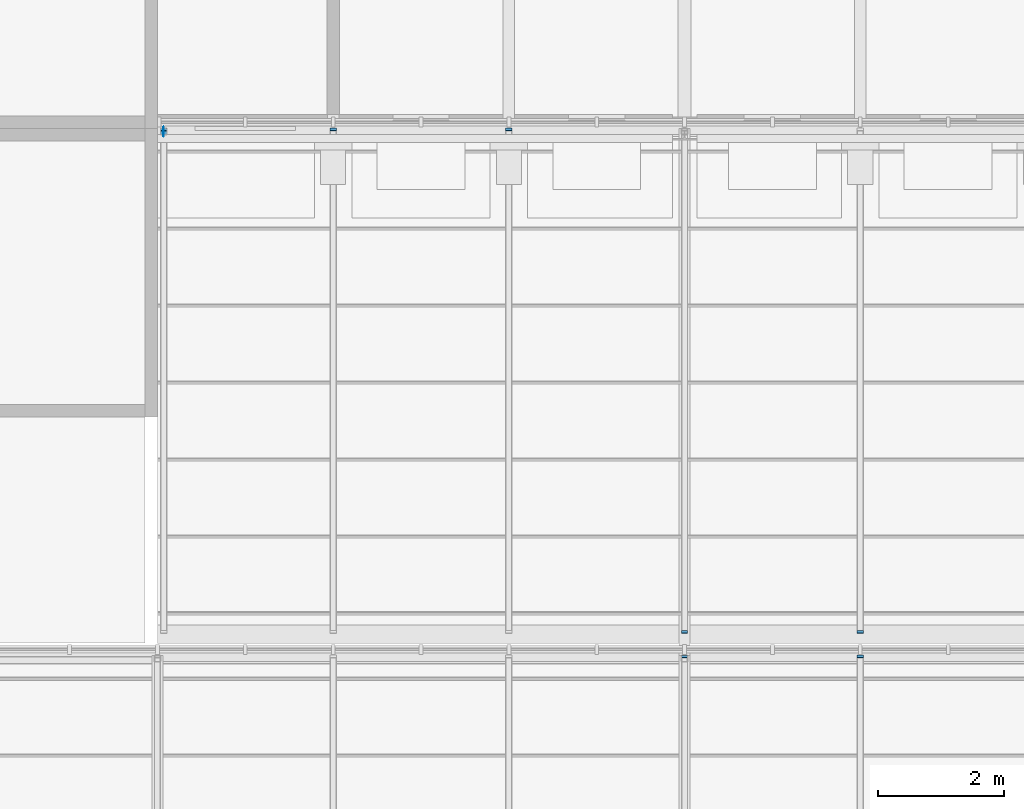
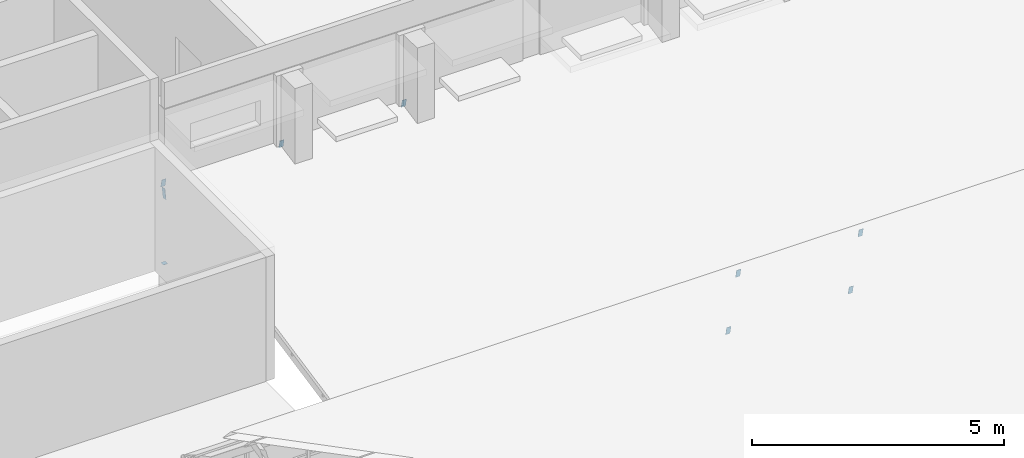
# One storey, part 103 of 121: 9 discrete accessories.
"""IFC4 building model written with IfcOpenShell, lengths in metres."""

from ifc_helpers import new_model, si_unit, direction, frame, origin, origin_2d, place, context, subcontext, project, spatial, rectangle, extrude, material, material_profile, profile_set, type_object, element, save


model = new_model("IFC4")

# Units and contexts
model_context = context("Model", 3, precision=1e-05, world=origin(), true_north=direction((0.0, 1.0)))
body_context = subcontext(model_context, "Body", "Model", "MODEL_VIEW")
ifc_project = project(units=[si_unit("LENGTHUNIT", "METRE"), si_unit("AREAUNIT", "SQUARE_METRE"), si_unit("VOLUMEUNIT", "CUBIC_METRE"), si_unit("PLANEANGLEUNIT", "RADIAN"), si_unit("MASSUNIT", "GRAM", prefix="KILO")], contexts=[model_context])

# Site, building, storey
site_placement = place(None, origin())
site = spatial("IfcSite", under=ifc_project, at=site_placement, CompositionType="ELEMENT")
building_placement = place(site_placement, origin())
building = spatial("IfcBuilding", under=site, at=building_placement, Name="Ardhachandra Cancer Care Centre", CompositionType="ELEMENT")
storey_placement = place(building_placement, frame((0.0, 0.0, 9.0)))
storey = spatial("IfcBuildingStorey", under=building, at=storey_placement, Name="L02", CompositionType="ELEMENT", Elevation=9.0)

# Discrete accessories
ifc_material_1 = material(Name="Galvanised flat steel (Steel E250 (IS 2062))", Category="steel")
ifc_material_profile_1 = material_profile(ifc_material_1, rectangle(XDim=0.10009765625, YDim=0.199951171875, at=origin_2d()), Name="Rafter end plate 200 x 100 x 8")
ifc_profile_set_1 = profile_set([ifc_material_profile_1], Name="Galvanised flat steel (Steel E250 (IS 2062))")
discrete_accessory_type_1 = type_object("IfcDiscreteAccessoryType", Name="Rafter end plate 200 x 100 x 8", PredefinedType="BRACKET", material=ifc_profile_set_1)
for number, where, z_axis, x_axis, name in (
    (1, (27.60009765625, 62.980224609375, 1.91796875), (0.0, 0.976900017396, 0.213696878805), (-1.0, 0.0, 0.0), "Rafter end plate T4a.7.2"),
    (2, (30.39990234375, 62.980224609375, 1.91796875), (0.0, 0.976900017396, 0.213696878805), (-1.0, 0.0, 0.0), "Rafter end plate T4a.8.2"),
    (3, (19.300048828125, 71.380126953125, 1.91796875), (0.0, 0.976900017396, 0.213696878805), (-1.0, 0.0, 0.0), "Rafter end plate T5a.1.2"),
    (4, (22.0, 71.380126953125, 1.91796875), (0.0, 0.976900017396, 0.213696878805), (-1.0, 0.0, 0.0), "Rafter end plate T5a.2.2"),
    (5, (24.800048828125, 71.380126953125, 1.91796875), (0.0, 0.976900017396, 0.213696878805), (-1.0, 0.0, 0.0), "Rafter end plate T5a.3.2"),
    (6, (27.60009765625, 63.380126953125, 0.298095703125), (0.0, -0.976900017396, -0.213696878805), (1.0, 0.0, 0.0), "Rafter end plate T5a.4.1"),
    (7, (30.39990234375, 63.380126953125, 0.298095703125), (0.0, -0.976900017396, -0.213696878805), (1.0, 0.0, 0.0), "Rafter end plate T5a.5.1"),
):
    element("IfcDiscreteAccessory", number, at=place(storey_placement, frame(where, z_axis=z_axis, x_axis=x_axis)), inside=storey, type_object=discrete_accessory_type_1, Name=name, PredefinedType="BRACKET", context=body_context, shape_type="SweptSolid", body=[
        extrude(rectangle(XDim=0.10009765625, YDim=0.199951171875, at=origin_2d()), origin(), (0.0, 0.0, 1.0), 0.008056640625),
    ])
ifc_material_2 = material(Name="Galvanised flat steel (Steel E250 (IS 2062))", Category="steel")
ifc_material_profile_2 = material_profile(ifc_material_2, rectangle(XDim=0.1201171875, YDim=0.239990234375, at=origin_2d()), Name="Ridge beam end plate 240 x 120 x 8")
ifc_profile_set_2 = profile_set([ifc_material_profile_2], Name="Galvanised flat steel (Steel E250 (IS 2062))")
discrete_accessory_type_2 = type_object("IfcDiscreteAccessoryType", Name="Ridge beam end plate 240 x 120 x 8", PredefinedType="BRACKET", material=ifc_profile_set_2)
discrete_accessory_1_placement = place(storey_placement, frame((19.300048828125, 71.35009765625, 1.6875), z_axis=(-1.0, 0.0, 0.0), x_axis=(0.0, -0.980106641092, 0.198471590126)))
element("IfcDiscreteAccessory", 8, at=discrete_accessory_1_placement, inside=storey, type_object=discrete_accessory_type_2, Name="Ridge beam end plate T5a.1", PredefinedType="BRACKET", context=body_context, shape_type="SweptSolid", body=[
    extrude(rectangle(XDim=0.1201171875, YDim=0.239990234375, at=origin_2d()), origin(), (0.0, 0.0, 1.0), 0.008056640625),
])
ifc_material_3 = material(Name="Galvanised flat steel (Steel E250 (IS 2062))", Category="steel")
ifc_material_profile_3 = material_profile(ifc_material_3, rectangle(XDim=0.10009765625, YDim=0.10009765625, at=origin_2d()), Name="Ridge post foot plate 100 x 100 x 8")
ifc_profile_set_3 = profile_set([ifc_material_profile_3], Name="Galvanised flat steel (Steel E250 (IS 2062))")
discrete_accessory_type_3 = type_object("IfcDiscreteAccessoryType", Name="Ridge post foot plate 100 x 100 x 8", PredefinedType="BRACKET", material=ifc_profile_set_3)
discrete_accessory_2_placement = place(storey_placement, frame((19.300048828125, 71.35009765625, 0.0), z_axis=(0.0, 0.0, -1.0), x_axis=(1.0, 0.0, 0.0)))
element("IfcDiscreteAccessory", 9, at=discrete_accessory_2_placement, inside=storey, type_object=discrete_accessory_type_3, Name="Ridge post foot plate T5a.1", PredefinedType="BRACKET", context=body_context, shape_type="SweptSolid", body=[
    extrude(rectangle(XDim=0.10009765625, YDim=0.10009765625, at=origin_2d()), origin(), (0.0, 0.0, 1.0), 0.008056640625),
])

save(model, "model.ifc")
